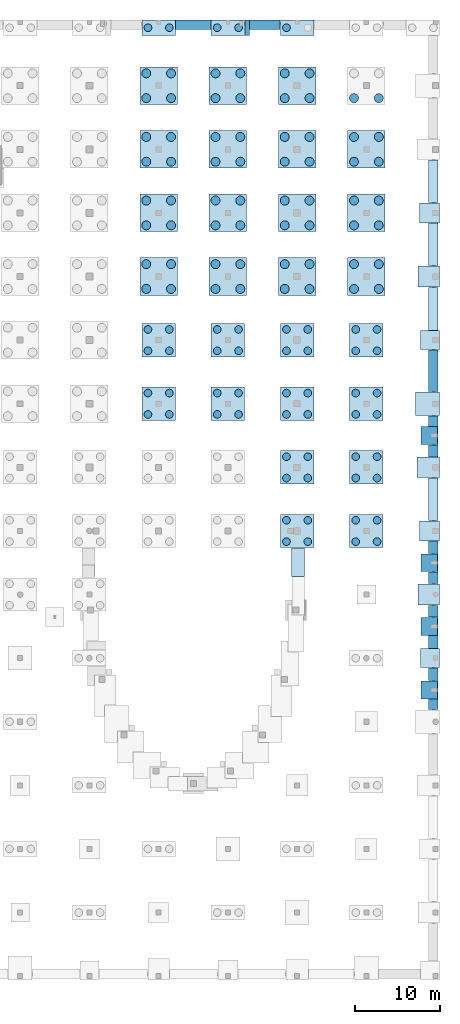
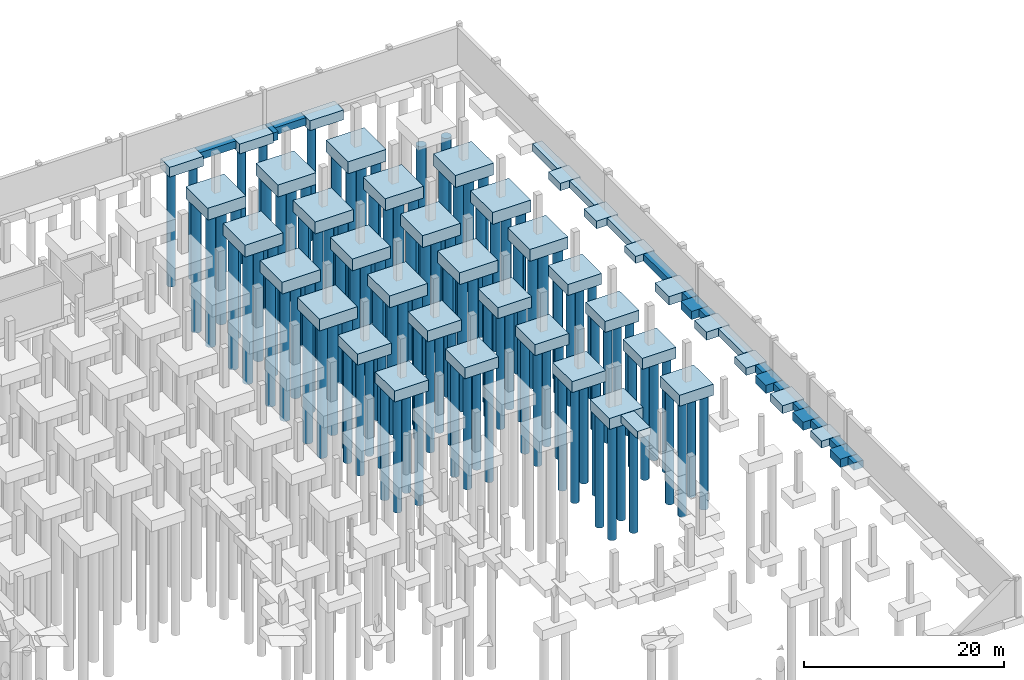
# One storey, part 9 of 37: 115 piles, 55 footings.
"""IFC4 building model written with IfcOpenShell, lengths in metres."""

from ifc_helpers import new_model, si_unit, direction, frame, origin, origin_2d, place, context, subcontext, project, spatial, polyline, rectangle, circle, outline, extrude, material, material_profile, profile_set, type_object, element, save


model = new_model("IFC4")

# Units and contexts
model_context = context("Model", 3, precision=1e-05, world=origin(), true_north=direction((0.0, 1.0)))
body_context = subcontext(model_context, "Body", "Model", "MODEL_VIEW")
ifc_project = project(units=[si_unit("LENGTHUNIT", "METRE"), si_unit("AREAUNIT", "SQUARE_METRE"), si_unit("VOLUMEUNIT", "CUBIC_METRE"), si_unit("PLANEANGLEUNIT", "RADIAN"), si_unit("MASSUNIT", "GRAM", prefix="KILO")], contexts=[model_context])

# Site, building, storey
site_placement = place(None, origin())
site = spatial("IfcSite", under=ifc_project, at=site_placement, CompositionType="ELEMENT")
building_placement = place(site_placement, origin())
building = spatial("IfcBuilding", under=site, at=building_placement, Name="Kaelora Sail Theatre", CompositionType="ELEMENT")
storey_placement = place(building_placement, frame((0.0, 0.0, -4.800048828125)))
storey = spatial("IfcBuildingStorey", under=building, at=storey_placement, Name="B1", CompositionType="ELEMENT", Elevation=-4.800048828125)

# Footings
ifc_material_1 = material(Name="Concrete C40/50", Category="concrete")
footing_type_1 = type_object("IfcFootingType", Name="STR-FTG-PC-2P", PredefinedType="PILE_CAP", material=ifc_material_1)
for number, where, z_axis, x_axis, name in (
    (1, (131.10009765625, 112.449951171875, -1.19970703125), (0.0, 0.0, 1.0), (1.0, 0.0, 0.0), "Foundation 17/P"),
    (2, (139.199951171875, 112.449951171875, -1.19970703125), (0.0, 0.0, 1.0), (1.0, 0.0, 0.0), "Foundation 18/P"),
    (3, (147.300048828125, 112.449951171875, -1.19970703125), (0.0, 0.0, 1.0), (1.0, 0.0, 0.0), "Foundation 19/P"),
):
    element("IfcFooting", number, at=place(storey_placement, frame(where, z_axis=z_axis, x_axis=x_axis)), inside=storey, type_object=footing_type_1, Name=name, PredefinedType="PILE_CAP", context=body_context, shape_type="SweptSolid", body=[
        extrude(rectangle(XDim=3.89990234375, YDim=1.800048828125, at=origin_2d()), origin(), (0.0, 0.0, 1.0), 1.199951171875),
    ])
ifc_material_2 = material(Name="Concrete C40/50", Category="concrete")
footing_type_2 = type_object("IfcFootingType", Name="STR-FTG-PC-4A", PredefinedType="PILE_CAP", material=ifc_material_2)
for number, where, z_axis, x_axis, name in (
    (4, (131.10009765625, 68.4599609375, -1.35009765625), (0.0, 0.0, 1.0), (1.0, 0.0, 0.0), "Foundation 17/J"),
    (5, (131.10009765625, 75.89990234375, -1.35009765625), (0.0, 0.0, 1.0), (1.0, 0.0, 0.0), "Foundation 17/K"),
    (6, (139.199951171875, 68.4599609375, -1.35009765625), (0.0, 0.0, 1.0), (1.0, 0.0, 0.0), "Foundation 18/J"),
    (7, (139.199951171875, 75.89990234375, -1.35009765625), (0.0, 0.0, 1.0), (1.0, 0.0, 0.0), "Foundation 18/K"),
    (8, (147.300048828125, 53.580078125, -1.35009765625), (0.0, 0.0, 1.0), (1.0, 0.0, 0.0), "Foundation 19/H"),
    (9, (147.300048828125, 61.02001953125, -1.35009765625), (0.0, 0.0, 1.0), (1.0, 0.0, 0.0), "Foundation 19/I"),
    (10, (147.300048828125, 68.4599609375, -1.35009765625), (0.0, 0.0, 1.0), (1.0, 0.0, 0.0), "Foundation 19/J"),
    (11, (147.300048828125, 75.89990234375, -1.35009765625), (0.0, 0.0, 1.0), (1.0, 0.0, 0.0), "Foundation 19/K"),
    (12, (155.39990234375, 53.580078125, -1.35009765625), (0.0, 0.0, 1.0), (1.0, 0.0, 0.0), "Foundation 20/H"),
    (13, (155.39990234375, 61.02001953125, -1.35009765625), (0.0, 0.0, 1.0), (1.0, 0.0, 0.0), "Foundation 20/I"),
    (14, (155.39990234375, 68.4599609375, -1.35009765625), (0.0, 0.0, 1.0), (1.0, 0.0, 0.0), "Foundation 20/J"),
    (15, (155.39990234375, 75.89990234375, -1.35009765625), (0.0, 0.0, 1.0), (1.0, 0.0, 0.0), "Foundation 20/K"),
):
    element("IfcFooting", number, at=place(storey_placement, frame(where, z_axis=z_axis, x_axis=x_axis)), inside=storey, type_object=footing_type_2, Name=name, PredefinedType="PILE_CAP", context=body_context, shape_type="SweptSolid", body=[
        extrude(rectangle(XDim=3.89990234375, YDim=3.89990234375, at=origin_2d()), origin(), (0.0, 0.0, 1.0), 1.35009765625),
    ])
ifc_material_3 = material(Name="Concrete C40/50", Category="concrete")
footing_type_3 = type_object("IfcFootingType", Name="STR-FTG-PC-4B", PredefinedType="PILE_CAP", material=ifc_material_3)
for number, where, z_axis, x_axis, name in (
    (16, (131.10009765625, 83.340087890625, -1.44970703125), (0.0, 0.0, 1.0), (1.0, 0.0, 0.0), "Foundation 17/L"),
    (17, (131.10009765625, 90.780029296875, -1.44970703125), (0.0, 0.0, 1.0), (1.0, 0.0, 0.0), "Foundation 17/M"),
    (18, (131.10009765625, 98.219970703125, -1.44970703125), (0.0, 0.0, 1.0), (1.0, 0.0, 0.0), "Foundation 17/N"),
    (19, (131.10009765625, 105.659912109375, -1.44970703125), (0.0, 0.0, 1.0), (1.0, 0.0, 0.0), "Foundation 17/O"),
    (20, (139.199951171875, 83.340087890625, -1.44970703125), (0.0, 0.0, 1.0), (1.0, 0.0, 0.0), "Foundation 18/L"),
    (21, (139.199951171875, 90.780029296875, -1.44970703125), (0.0, 0.0, 1.0), (1.0, 0.0, 0.0), "Foundation 18/M"),
    (22, (139.199951171875, 98.219970703125, -1.44970703125), (0.0, 0.0, 1.0), (1.0, 0.0, 0.0), "Foundation 18/N"),
    (23, (139.199951171875, 105.659912109375, -1.44970703125), (0.0, 0.0, 1.0), (1.0, 0.0, 0.0), "Foundation 18/O"),
    (24, (147.300048828125, 83.340087890625, -1.44970703125), (0.0, 0.0, 1.0), (1.0, 0.0, 0.0), "Foundation 19/L"),
    (25, (147.300048828125, 90.780029296875, -1.44970703125), (0.0, 0.0, 1.0), (1.0, 0.0, 0.0), "Foundation 19/M"),
    (26, (147.300048828125, 98.219970703125, -1.44970703125), (0.0, 0.0, 1.0), (1.0, 0.0, 0.0), "Foundation 19/N"),
    (27, (147.300048828125, 105.659912109375, -1.44970703125), (0.0, 0.0, 1.0), (1.0, 0.0, 0.0), "Foundation 19/O"),
    (28, (155.39990234375, 83.340087890625, -1.44970703125), (0.0, 0.0, 1.0), (1.0, 0.0, 0.0), "Foundation 20/L"),
    (29, (155.39990234375, 90.780029296875, -1.44970703125), (0.0, 0.0, 1.0), (1.0, 0.0, 0.0), "Foundation 20/M"),
    (30, (155.39990234375, 98.219970703125, -1.44970703125), (0.0, 0.0, 1.0), (1.0, 0.0, 0.0), "Foundation 20/N"),
):
    element("IfcFooting", number, at=place(storey_placement, frame(where, z_axis=z_axis, x_axis=x_axis)), inside=storey, type_object=footing_type_3, Name=name, PredefinedType="PILE_CAP", context=body_context, shape_type="SweptSolid", body=[
        extrude(rectangle(XDim=4.39990234375, YDim=4.39990234375, at=origin_2d()), origin(), (0.0, 0.0, 1.0), 1.449951171875),
    ])
ifc_material_4 = material(Name="Concrete C40/50", Category="concrete")
footing_type_4 = type_object("IfcFootingType", Name="STR-FTG-PF-1A", PredefinedType="PAD_FOOTING", material=ifc_material_4)
for number, where, z_axis, x_axis, name in (
    (31, (162.85009765625, 38.699951171875, -0.85009765625), (0.0, 0.0, 1.0), (1.0, 0.0, 0.0), "Foundation 21/F"),
    (32, (162.85009765625, 75.89990234375, -0.85009765625), (0.0, 0.0, 1.0), (1.0, 0.0, 0.0), "Foundation 21/K"),
):
    element("IfcFooting", number, at=place(storey_placement, frame(where, z_axis=z_axis, x_axis=x_axis)), inside=storey, type_object=footing_type_4, Name=name, PredefinedType="PAD_FOOTING", context=body_context, shape_type="SweptSolid", body=[
        extrude(rectangle(XDim=2.199951171875, YDim=2.199951171875, at=origin_2d()), origin(), (0.0, 0.0, 1.0), 0.85009765625),
    ])
ifc_material_5 = material(Name="Concrete C40/50", Category="concrete")
footing_type_5 = type_object("IfcFootingType", Name="STR-FTG-PF-1B", PredefinedType="PAD_FOOTING", material=ifc_material_5)
for number, where, z_axis, x_axis, name in (
    (33, (162.699951171875, 46.139892578125, -0.94970703125), (0.0, 0.0, 1.0), (1.0, 0.0, 0.0), "Foundation 21/G"),
    (34, (162.699951171875, 83.340087890625, -0.94970703125), (0.0, 0.0, 1.0), (1.0, 0.0, 0.0), "Foundation 21/L"),
):
    element("IfcFooting", number, at=place(storey_placement, frame(where, z_axis=z_axis, x_axis=x_axis)), inside=storey, type_object=footing_type_5, Name=name, PredefinedType="PAD_FOOTING", context=body_context, shape_type="SweptSolid", body=[
        extrude(rectangle(XDim=2.5, YDim=2.5, at=origin_2d()), origin(), (0.0, 0.0, 1.0), 0.949951171875),
    ])
ifc_material_6 = material(Name="Concrete C40/50", Category="concrete")
footing_type_6 = type_object("IfcFootingType", Name="STR-FTG-PF-1C", PredefinedType="PAD_FOOTING", material=ifc_material_6)
footing_1_placement = place(storey_placement, frame((0.0, 0.0, -1.0)))
element("IfcFooting", 35, at=footing_1_placement, inside=storey, type_object=footing_type_6, Name="North Postmodern pilaster footing P10", PredefinedType="PAD_FOOTING", context=body_context, shape_type="SweptSolid", body=[
    extrude(outline(polyline([(141.179931640625, 113.340087890625), (141.699951171875, 113.340087890625), (141.699951171875, 111.550048828125), (141.179931640625, 111.550048828125), (141.179931640625, 113.340087890625)])), origin(), (0.0, 0.0, 1.0), 1.0),
])
for number, where, z_axis, x_axis, name in (
    (36, (162.75, 34.97998046875, -1.0), (0.0, 0.0, 1.0), (1.0, 0.0, 0.0), "E colonnade pilaster footing 04"),
    (37, (162.75, 42.419921875, -1.0), (0.0, 0.0, 1.0), (1.0, 0.0, 0.0), "E colonnade pilaster footing 05"),
    (38, (162.75, 49.860107421875, -1.0), (0.0, 0.0, 1.0), (1.0, 0.0, 0.0), "E colonnade pilaster footing 06"),
    (39, (162.75, 64.739990234375, -1.0), (0.0, 0.0, 1.0), (1.0, 0.0, 0.0), "E colonnade pilaster footing 08"),
):
    element("IfcFooting", number, at=place(storey_placement, frame(where, z_axis=z_axis, x_axis=x_axis)), inside=storey, type_object=footing_type_6, Name=name, PredefinedType="PAD_FOOTING", context=body_context, shape_type="SweptSolid", body=[
        extrude(rectangle(XDim=1.89990234375, YDim=2.10009765625, at=origin_2d()), origin(), (0.0, 0.0, 1.0), 1.0),
    ])
ifc_material_7 = material(Name="Concrete C40/50", Category="concrete")
footing_type_7 = type_object("IfcFootingType", Name="STR-FTG-PF-1D", PredefinedType="PAD_FOOTING", material=ifc_material_7)
for number, where, z_axis, x_axis, name in (
    (40, (162.77490234375, 53.580078125, -0.89990234375), (0.0, 0.0, 1.0), (1.0, 0.0, 0.0), "Foundation 21/H"),
    (41, (162.77490234375, 90.780029296875, -0.89990234375), (0.0, 0.0, 1.0), (1.0, 0.0, 0.0), "Foundation 21/M"),
):
    element("IfcFooting", number, at=place(storey_placement, frame(where, z_axis=z_axis, x_axis=x_axis)), inside=storey, type_object=footing_type_7, Name=name, PredefinedType="PAD_FOOTING", context=body_context, shape_type="SweptSolid", body=[
        extrude(rectangle(XDim=2.35009765625, YDim=2.35009765625, at=origin_2d()), origin(), (0.0, 0.0, 1.0), 0.89990234375),
    ])
ifc_material_8 = material(Name="Concrete C40/50", Category="concrete")
footing_type_8 = type_object("IfcFootingType", Name="STR-FTG-PF-1E", PredefinedType="PAD_FOOTING", material=ifc_material_8)
footing_2_placement = place(storey_placement, frame((162.625, 61.02001953125, -1.0), z_axis=(0.0, 0.0, 1.0), x_axis=(1.0, 0.0, 0.0)))
element("IfcFooting", 42, at=footing_2_placement, inside=storey, type_object=footing_type_8, Name="Foundation 21/I", PredefinedType="PAD_FOOTING", context=body_context, shape_type="SweptSolid", body=[
    extrude(rectangle(XDim=2.64990234375, YDim=2.39990234375, at=origin_2d()), origin(), (0.0, 0.0, 1.0), 1.0),
])
ifc_material_9 = material(Name="Concrete C40/50", Category="concrete")
footing_type_9 = type_object("IfcFootingType", Name="STR-FTG-PF-1F", PredefinedType="PAD_FOOTING", material=ifc_material_9)
footing_3_placement = place(storey_placement, frame((162.550048828125, 68.4599609375, -1.0498046875), z_axis=(0.0, 0.0, 1.0), x_axis=(1.0, 0.0, 0.0)))
element("IfcFooting", 43, at=footing_3_placement, inside=storey, type_object=footing_type_9, Name="Foundation 21/J", PredefinedType="PAD_FOOTING", context=body_context, shape_type="SweptSolid", body=[
    extrude(rectangle(XDim=2.800048828125, YDim=2.800048828125, at=origin_2d()), origin(), (0.0, 0.0, 1.0), 1.050048828125),
])
ifc_material_10 = material(Name="Concrete C40/50", Category="concrete")
footing_type_10 = type_object("IfcFootingType", Name="STR-GB-SF-DRM", PredefinedType="STRIP_FOOTING", material=ifc_material_10)
footing_4_placement = place(storey_placement, frame((0.0, 0.0, -0.89990234375)))
element("IfcFooting", 44, at=footing_4_placement, inside=storey, type_object=footing_type_10, Name="Perimeter plinth strip footing SF-PL-E", PredefinedType="STRIP_FOOTING", context=body_context, shape_type="SweptSolid", body=[
    extrude(outline(polyline([(163.75, 44.860107421875), (163.75, 39.830078125), (162.64990234375, 39.830078125), (162.64990234375, 41.340087890625), (163.72998046875, 41.340087890625), (163.72998046875, 43.5), (162.64990234375, 43.5), (162.64990234375, 44.860107421875), (163.75, 44.860107421875)])), origin(), (0.0, 0.0, 1.0), 0.89990234375),
])
footing_5_placement = place(storey_placement, frame((0.0, 0.0, -0.89990234375)))
element("IfcFooting", 45, at=footing_5_placement, inside=storey, type_object=footing_type_10, Name="Perimeter plinth strip footing SF-PL-E", PredefinedType="STRIP_FOOTING", context=body_context, shape_type="SweptSolid", body=[
    extrude(outline(polyline([(163.72998046875, 65.820068359375), (162.64990234375, 65.820068359375), (162.64990234375, 67.030029296875), (163.75, 67.030029296875), (163.75, 62.25), (162.64990234375, 62.25), (162.64990234375, 63.659912109375), (163.72998046875, 63.659912109375), (163.72998046875, 65.820068359375)])), origin(), (0.0, 0.0, 1.0), 0.89990234375),
])
footing_6_placement = place(storey_placement, frame((0.0, 0.0, -0.89990234375)))
element("IfcFooting", 46, at=footing_6_placement, inside=storey, type_object=footing_type_10, Name="Perimeter plinth strip footing SF-PL-E", PredefinedType="STRIP_FOOTING", context=body_context, shape_type="SweptSolid", body=[
    extrude(outline(polyline([(162.64990234375, 84.6201171875), (162.64990234375, 89.574951171875), (163.75, 89.574951171875), (163.75, 84.6201171875), (162.64990234375, 84.6201171875)])), origin(), (0.0, 0.0, 1.0), 0.89990234375),
])
footing_7_placement = place(storey_placement, frame((0.0, 0.0, -0.89990234375)))
element("IfcFooting", 47, at=footing_7_placement, inside=storey, type_object=footing_type_10, Name="Perimeter plinth strip footing SF-PL-E", PredefinedType="STRIP_FOOTING", context=body_context, shape_type="SweptSolid", body=[
    extrude(outline(polyline([(163.75, 96.989990234375), (163.75, 91.985107421875), (162.64990234375, 91.985107421875), (162.64990234375, 96.989990234375), (163.75, 96.989990234375)])), origin(), (0.0, 0.0, 1.0), 0.89990234375),
])
footing_8_placement = place(storey_placement, frame((0.0, 0.0, -0.89990234375)))
element("IfcFooting", 48, at=footing_8_placement, inside=storey, type_object=footing_type_10, Name="Perimeter plinth strip footing SF-PL-E", PredefinedType="STRIP_FOOTING", context=body_context, shape_type="SweptSolid", body=[
    extrude(outline(polyline([(162.64990234375, 77.030029296875), (162.64990234375, 82.06005859375), (163.75, 82.06005859375), (163.75, 77.030029296875), (162.64990234375, 77.030029296875)])), origin(), (0.0, 0.0, 1.0), 0.89990234375),
])
footing_9_placement = place(storey_placement, frame((0.0, 0.0, -0.89990234375)))
element("IfcFooting", 49, at=footing_9_placement, inside=storey, type_object=footing_type_10, Name="Perimeter plinth strip footing SF-PL-E", PredefinedType="STRIP_FOOTING", context=body_context, shape_type="SweptSolid", body=[
    extrude(outline(polyline([(162.64990234375, 74.77001953125), (163.75, 74.77001953125), (163.75, 69.889892578125), (162.64990234375, 69.889892578125), (162.64990234375, 74.77001953125)])), origin(), (0.0, 0.0, 1.0), 0.89990234375),
])
footing_10_placement = place(storey_placement, frame((0.0, 0.0, -0.89990234375)))
element("IfcFooting", 50, at=footing_10_placement, inside=storey, type_object=footing_type_10, Name="Perimeter plinth strip footing SF-PL-E", PredefinedType="STRIP_FOOTING", context=body_context, shape_type="SweptSolid", body=[
    extrude(outline(polyline([(163.75, 54.784912109375), (162.64990234375, 54.784912109375), (162.64990234375, 59.7900390625), (163.75, 59.7900390625), (163.75, 54.784912109375)])), origin(), (0.0, 0.0, 1.0), 0.89990234375),
])
footing_11_placement = place(storey_placement, frame((0.0, 0.0, -0.89990234375)))
element("IfcFooting", 51, at=footing_11_placement, inside=storey, type_object=footing_type_10, Name="Perimeter plinth strip footing SF-PL-E", PredefinedType="STRIP_FOOTING", context=body_context, shape_type="SweptSolid", body=[
    extrude(outline(polyline([(162.64990234375, 50.93994140625), (162.64990234375, 52.375), (163.75, 52.375), (163.75, 47.419921875), (162.64990234375, 47.419921875), (162.64990234375, 48.780029296875), (163.72998046875, 48.780029296875), (163.72998046875, 50.93994140625), (162.64990234375, 50.93994140625)])), origin(), (0.0, 0.0, 1.0), 0.89990234375),
])
footing_12_placement = place(storey_placement, frame((0.0, 0.0, -0.89990234375)))
element("IfcFooting", 52, at=footing_12_placement, inside=storey, type_object=footing_type_10, Name="Perimeter plinth strip footing SF-PL-E", PredefinedType="STRIP_FOOTING", context=body_context, shape_type="SweptSolid", body=[
    extrude(outline(polyline([(163.75, 37.570068359375), (163.75, 32.68994140625), (162.64990234375, 32.68994140625), (162.64990234375, 33.89990234375), (163.72998046875, 33.89990234375), (163.72998046875, 36.06005859375), (162.64990234375, 36.06005859375), (162.64990234375, 37.570068359375), (163.75, 37.570068359375)])), origin(), (0.0, 0.0, 1.0), 0.89990234375),
])
footing_13_placement = place(storey_placement, frame((0.0, 0.0, -0.89990234375)))
element("IfcFooting", 53, at=footing_13_placement, inside=storey, type_object=footing_type_10, Name="Perimeter plinth strip footing SF-PL-N", PredefinedType="STRIP_FOOTING", context=body_context, shape_type="SweptSolid", body=[
    extrude(outline(polyline([(141.72998046875, 112.25), (141.72998046875, 113.340087890625), (145.320068359375, 113.340087890625), (145.320068359375, 112.25), (141.72998046875, 112.25)])), origin(), (0.0, 0.0, 1.0), 0.89990234375),
])
footing_14_placement = place(storey_placement, frame((0.0, 0.0, -0.89990234375)))
element("IfcFooting", 54, at=footing_14_placement, inside=storey, type_object=footing_type_10, Name="Perimeter plinth strip footing SF-PL-N", PredefinedType="STRIP_FOOTING", context=body_context, shape_type="SweptSolid", body=[
    extrude(outline(polyline([(133.080078125, 113.340087890625), (137.219970703125, 113.340087890625), (137.219970703125, 112.25), (133.080078125, 112.25), (133.080078125, 113.340087890625)])), origin(), (0.0, 0.0, 1.0), 0.89990234375),
])
footing_15_placement = place(storey_placement, frame((0.0, 0.0, -0.89990234375)))
element("IfcFooting", 55, at=footing_15_placement, inside=storey, type_object=footing_type_10, Name="Black-Box and Experimental Sail Wing chord strip footing 01", PredefinedType="STRIP_FOOTING", context=body_context, shape_type="SweptSolid", body=[
    extrude(outline(polyline([(146.64990234375, 48.2744140625), (146.64990234375, 51.60009765625), (148.148193359375, 51.60009765625), (148.148193359375, 48.2744140625), (146.64990234375, 48.2744140625)])), origin(), (0.0, 0.0, 1.0), 0.89990234375),
])

# Piles
ifc_material_11 = material(Name="Concrete C40/50", Category="concrete")
ifc_material_profile_1 = material_profile(ifc_material_11, circle(Radius=0.52490234375, at=origin_2d()), Name="PILE D1050")
ifc_profile_set_1 = profile_set([ifc_material_profile_1], Name="Concrete C40/50")
pile_type_1 = type_object("IfcPileType", Name="STR-PILE-PL-1050", PredefinedType="BORED", material=ifc_profile_set_1)
for number, where, z_axis, x_axis, name in (
    (56, (129.64990234375, 81.889892578125, -1.349853515625), (0.0, 0.0, -1.0), (1.0, 0.0, 0.0), "Bored pile 17/L P1"),
    (57, (132.550048828125, 81.889892578125, -1.349853515625), (0.0, 0.0, -1.0), (1.0, 0.0, 0.0), "Bored pile 17/L P2"),
    (58, (129.64990234375, 84.7900390625, -1.349853515625), (0.0, 0.0, -1.0), (1.0, 0.0, 0.0), "Bored pile 17/L P3"),
    (59, (132.550048828125, 84.7900390625, -1.349853515625), (0.0, 0.0, -1.0), (1.0, 0.0, 0.0), "Bored pile 17/L P4"),
    (60, (129.64990234375, 89.330078125, -1.349853515625), (0.0, 0.0, -1.0), (1.0, 0.0, 0.0), "Bored pile 17/M P1"),
    (61, (132.550048828125, 89.330078125, -1.349853515625), (0.0, 0.0, -1.0), (1.0, 0.0, 0.0), "Bored pile 17/M P2"),
    (62, (129.64990234375, 92.22998046875, -1.349853515625), (0.0, 0.0, -1.0), (1.0, 0.0, 0.0), "Bored pile 17/M P3"),
    (63, (132.550048828125, 92.22998046875, -1.349853515625), (0.0, 0.0, -1.0), (1.0, 0.0, 0.0), "Bored pile 17/M P4"),
    (64, (129.64990234375, 96.77001953125, -1.349853515625), (0.0, 0.0, -1.0), (1.0, 0.0, 0.0), "Bored pile 17/N P1"),
    (65, (132.550048828125, 96.77001953125, -1.349853515625), (0.0, 0.0, -1.0), (1.0, 0.0, 0.0), "Bored pile 17/N P2"),
    (66, (129.64990234375, 99.669921875, -1.349853515625), (0.0, 0.0, -1.0), (1.0, 0.0, 0.0), "Bored pile 17/N P3"),
    (67, (132.550048828125, 99.669921875, -1.349853515625), (0.0, 0.0, -1.0), (1.0, 0.0, 0.0), "Bored pile 17/N P4"),
    (68, (129.64990234375, 104.2099609375, -1.349853515625), (0.0, 0.0, -1.0), (1.0, 0.0, 0.0), "Bored pile 17/O P1"),
    (69, (132.550048828125, 104.2099609375, -1.349853515625), (0.0, 0.0, -1.0), (1.0, 0.0, 0.0), "Bored pile 17/O P2"),
    (70, (129.64990234375, 107.110107421875, -1.349853515625), (0.0, 0.0, -1.0), (1.0, 0.0, 0.0), "Bored pile 17/O P3"),
    (71, (132.550048828125, 107.110107421875, -1.349853515625), (0.0, 0.0, -1.0), (1.0, 0.0, 0.0), "Bored pile 17/O P4"),
    (72, (137.75, 81.889892578125, -1.349853515625), (0.0, 0.0, -1.0), (1.0, 0.0, 0.0), "Bored pile 18/L P1"),
    (73, (140.64990234375, 81.889892578125, -1.349853515625), (0.0, 0.0, -1.0), (1.0, 0.0, 0.0), "Bored pile 18/L P2"),
    (74, (137.75, 84.7900390625, -1.349853515625), (0.0, 0.0, -1.0), (1.0, 0.0, 0.0), "Bored pile 18/L P3"),
    (75, (140.64990234375, 84.7900390625, -1.349853515625), (0.0, 0.0, -1.0), (1.0, 0.0, 0.0), "Bored pile 18/L P4"),
    (76, (137.75, 89.330078125, -1.349853515625), (0.0, 0.0, -1.0), (1.0, 0.0, 0.0), "Bored pile 18/M P1"),
    (77, (140.64990234375, 89.330078125, -1.349853515625), (0.0, 0.0, -1.0), (1.0, 0.0, 0.0), "Bored pile 18/M P2"),
    (78, (137.75, 92.22998046875, -1.349853515625), (0.0, 0.0, -1.0), (1.0, 0.0, 0.0), "Bored pile 18/M P3"),
    (79, (140.64990234375, 92.22998046875, -1.349853515625), (0.0, 0.0, -1.0), (1.0, 0.0, 0.0), "Bored pile 18/M P4"),
    (80, (137.75, 96.77001953125, -1.349853515625), (0.0, 0.0, -1.0), (1.0, 0.0, 0.0), "Bored pile 18/N P1"),
    (81, (140.64990234375, 96.77001953125, -1.349853515625), (0.0, 0.0, -1.0), (1.0, 0.0, 0.0), "Bored pile 18/N P2"),
    (82, (137.75, 99.669921875, -1.349853515625), (0.0, 0.0, -1.0), (1.0, 0.0, 0.0), "Bored pile 18/N P3"),
    (83, (140.64990234375, 99.669921875, -1.349853515625), (0.0, 0.0, -1.0), (1.0, 0.0, 0.0), "Bored pile 18/N P4"),
    (84, (137.75, 104.2099609375, -1.349853515625), (0.0, 0.0, -1.0), (1.0, 0.0, 0.0), "Bored pile 18/O P1"),
    (85, (140.64990234375, 104.2099609375, -1.349853515625), (0.0, 0.0, -1.0), (1.0, 0.0, 0.0), "Bored pile 18/O P2"),
    (86, (137.75, 107.110107421875, -1.349853515625), (0.0, 0.0, -1.0), (1.0, 0.0, 0.0), "Bored pile 18/O P3"),
    (87, (140.64990234375, 107.110107421875, -1.349853515625), (0.0, 0.0, -1.0), (1.0, 0.0, 0.0), "Bored pile 18/O P4"),
    (88, (145.85009765625, 81.889892578125, -1.349853515625), (0.0, 0.0, -1.0), (1.0, 0.0, 0.0), "Bored pile 19/L P1"),
    (89, (148.75, 81.889892578125, -1.349853515625), (0.0, 0.0, -1.0), (1.0, 0.0, 0.0), "Bored pile 19/L P2"),
    (90, (145.85009765625, 84.7900390625, -1.349853515625), (0.0, 0.0, -1.0), (1.0, 0.0, 0.0), "Bored pile 19/L P3"),
    (91, (148.75, 84.7900390625, -1.349853515625), (0.0, 0.0, -1.0), (1.0, 0.0, 0.0), "Bored pile 19/L P4"),
    (92, (145.85009765625, 89.330078125, -1.349853515625), (0.0, 0.0, -1.0), (1.0, 0.0, 0.0), "Bored pile 19/M P1"),
    (93, (148.75, 89.330078125, -1.349853515625), (0.0, 0.0, -1.0), (1.0, 0.0, 0.0), "Bored pile 19/M P2"),
    (94, (145.85009765625, 92.22998046875, -1.349853515625), (0.0, 0.0, -1.0), (1.0, 0.0, 0.0), "Bored pile 19/M P3"),
    (95, (148.75, 92.22998046875, -1.349853515625), (0.0, 0.0, -1.0), (1.0, 0.0, 0.0), "Bored pile 19/M P4"),
    (96, (145.85009765625, 96.77001953125, -1.349853515625), (0.0, 0.0, -1.0), (1.0, 0.0, 0.0), "Bored pile 19/N P1"),
    (97, (148.75, 96.77001953125, -1.349853515625), (0.0, 0.0, -1.0), (1.0, 0.0, 0.0), "Bored pile 19/N P2"),
    (98, (145.85009765625, 99.669921875, -1.349853515625), (0.0, 0.0, -1.0), (1.0, 0.0, 0.0), "Bored pile 19/N P3"),
    (99, (148.75, 99.669921875, -1.349853515625), (0.0, 0.0, -1.0), (1.0, 0.0, 0.0), "Bored pile 19/N P4"),
    (100, (145.85009765625, 104.2099609375, -1.349853515625), (0.0, 0.0, -1.0), (1.0, 0.0, 0.0), "Bored pile 19/O P1"),
    (101, (148.75, 104.2099609375, -1.349853515625), (0.0, 0.0, -1.0), (1.0, 0.0, 0.0), "Bored pile 19/O P2"),
    (102, (145.85009765625, 107.110107421875, -1.349853515625), (0.0, 0.0, -1.0), (1.0, 0.0, 0.0), "Bored pile 19/O P3"),
    (103, (148.75, 107.110107421875, -1.349853515625), (0.0, 0.0, -1.0), (1.0, 0.0, 0.0), "Bored pile 19/O P4"),
    (104, (153.949951171875, 81.889892578125, -1.349853515625), (0.0, 0.0, -1.0), (1.0, 0.0, 0.0), "Bored pile 20/L P1"),
    (105, (156.85009765625, 81.889892578125, -1.349853515625), (0.0, 0.0, -1.0), (1.0, 0.0, 0.0), "Bored pile 20/L P2"),
    (106, (153.949951171875, 84.7900390625, -1.349853515625), (0.0, 0.0, -1.0), (1.0, 0.0, 0.0), "Bored pile 20/L P3"),
    (107, (156.85009765625, 84.7900390625, -1.349853515625), (0.0, 0.0, -1.0), (1.0, 0.0, 0.0), "Bored pile 20/L P4"),
    (108, (153.949951171875, 89.330078125, -1.349853515625), (0.0, 0.0, -1.0), (1.0, 0.0, 0.0), "Bored pile 20/M P1"),
    (109, (156.85009765625, 89.330078125, -1.349853515625), (0.0, 0.0, -1.0), (1.0, 0.0, 0.0), "Bored pile 20/M P2"),
    (110, (153.949951171875, 92.22998046875, -1.349853515625), (0.0, 0.0, -1.0), (1.0, 0.0, 0.0), "Bored pile 20/M P3"),
    (111, (156.85009765625, 92.22998046875, -1.349853515625), (0.0, 0.0, -1.0), (1.0, 0.0, 0.0), "Bored pile 20/M P4"),
    (112, (153.949951171875, 96.77001953125, -1.349853515625), (0.0, 0.0, -1.0), (1.0, 0.0, 0.0), "Bored pile 20/N P1"),
    (113, (156.85009765625, 96.77001953125, -1.349853515625), (0.0, 0.0, -1.0), (1.0, 0.0, 0.0), "Bored pile 20/N P2"),
    (114, (153.949951171875, 99.669921875, -1.349853515625), (0.0, 0.0, -1.0), (1.0, 0.0, 0.0), "Bored pile 20/N P3"),
    (115, (156.85009765625, 99.669921875, -1.349853515625), (0.0, 0.0, -1.0), (1.0, 0.0, 0.0), "Bored pile 20/N P4"),
    (116, (153.949951171875, 104.2099609375, -1.349853515625), (0.0, 0.0, -1.0), (1.0, 0.0, 0.0), "Bored pile 20/O P1"),
    (117, (156.85009765625, 104.2099609375, -1.349853515625), (0.0, 0.0, -1.0), (1.0, 0.0, 0.0), "Bored pile 20/O P2"),
):
    element("IfcPile", number, at=place(storey_placement, frame(where, z_axis=z_axis, x_axis=x_axis)), inside=storey, type_object=pile_type_1, Name=name, PredefinedType="BORED", context=body_context, shape_type="SweptSolid", body=[
        extrude(circle(Radius=0.52490234375, at=origin_2d()), origin(), (0.0, 0.0, 1.0), 16.0),
    ])
ifc_material_12 = material(Name="Concrete C40/50", Category="concrete")
ifc_material_profile_2 = material_profile(ifc_material_12, circle(Radius=0.449951171875, at=origin_2d()), Name="PILE D900")
ifc_profile_set_2 = profile_set([ifc_material_profile_2], Name="Concrete C40/50")
pile_type_2 = type_object("IfcPileType", Name="STR-PILE-PL-900", PredefinedType="BORED", material=ifc_profile_set_2)
for number, where, z_axis, x_axis, name in (
    (118, (129.85009765625, 67.2099609375, -1.25), (0.0, 0.0, -1.0), (1.0, 0.0, 0.0), "Bored pile 17/J P1"),
    (119, (132.35009765625, 67.2099609375, -1.25), (0.0, 0.0, -1.0), (1.0, 0.0, 0.0), "Bored pile 17/J P2"),
    (120, (129.85009765625, 69.7099609375, -1.25), (0.0, 0.0, -1.0), (1.0, 0.0, 0.0), "Bored pile 17/J P3"),
    (121, (132.35009765625, 69.7099609375, -1.25), (0.0, 0.0, -1.0), (1.0, 0.0, 0.0), "Bored pile 17/J P4"),
    (122, (129.85009765625, 74.64990234375, -1.25), (0.0, 0.0, -1.0), (1.0, 0.0, 0.0), "Bored pile 17/K P1"),
    (123, (132.35009765625, 74.64990234375, -1.25), (0.0, 0.0, -1.0), (1.0, 0.0, 0.0), "Bored pile 17/K P2"),
    (124, (129.85009765625, 77.14990234375, -1.25), (0.0, 0.0, -1.0), (1.0, 0.0, 0.0), "Bored pile 17/K P3"),
    (125, (132.35009765625, 77.14990234375, -1.25), (0.0, 0.0, -1.0), (1.0, 0.0, 0.0), "Bored pile 17/K P4"),
    (126, (129.85009765625, 112.449951171875, -1.099853515625), (0.0, 0.0, -1.0), (1.0, 0.0, 0.0), "Bored pile 17/P P1"),
    (127, (132.35009765625, 112.449951171875, -1.099853515625), (0.0, 0.0, -1.0), (1.0, 0.0, 0.0), "Bored pile 17/P P2"),
    (128, (137.949951171875, 67.2099609375, -1.25), (0.0, 0.0, -1.0), (1.0, 0.0, 0.0), "Bored pile 18/J P1"),
    (129, (140.449951171875, 67.2099609375, -1.25), (0.0, 0.0, -1.0), (1.0, 0.0, 0.0), "Bored pile 18/J P2"),
    (130, (137.949951171875, 69.7099609375, -1.25), (0.0, 0.0, -1.0), (1.0, 0.0, 0.0), "Bored pile 18/J P3"),
    (131, (140.449951171875, 69.7099609375, -1.25), (0.0, 0.0, -1.0), (1.0, 0.0, 0.0), "Bored pile 18/J P4"),
    (132, (137.949951171875, 74.64990234375, -1.25), (0.0, 0.0, -1.0), (1.0, 0.0, 0.0), "Bored pile 18/K P1"),
    (133, (140.449951171875, 74.64990234375, -1.25), (0.0, 0.0, -1.0), (1.0, 0.0, 0.0), "Bored pile 18/K P2"),
    (134, (137.949951171875, 77.14990234375, -1.25), (0.0, 0.0, -1.0), (1.0, 0.0, 0.0), "Bored pile 18/K P3"),
    (135, (140.449951171875, 77.14990234375, -1.25), (0.0, 0.0, -1.0), (1.0, 0.0, 0.0), "Bored pile 18/K P4"),
    (136, (137.949951171875, 112.449951171875, -1.099853515625), (0.0, 0.0, -1.0), (1.0, 0.0, 0.0), "Bored pile 18/P P1"),
    (137, (140.449951171875, 112.449951171875, -1.099853515625), (0.0, 0.0, -1.0), (1.0, 0.0, 0.0), "Bored pile 18/P P2"),
    (138, (146.050048828125, 52.330078125, -1.25), (0.0, 0.0, -1.0), (1.0, 0.0, 0.0), "Bored pile 19/H P1"),
    (139, (148.550048828125, 52.330078125, -1.25), (0.0, 0.0, -1.0), (1.0, 0.0, 0.0), "Bored pile 19/H P2"),
    (140, (146.050048828125, 54.830078125, -1.25), (0.0, 0.0, -1.0), (1.0, 0.0, 0.0), "Bored pile 19/H P3"),
    (141, (148.550048828125, 54.830078125, -1.25), (0.0, 0.0, -1.0), (1.0, 0.0, 0.0), "Bored pile 19/H P4"),
    (142, (146.050048828125, 59.77001953125, -1.25), (0.0, 0.0, -1.0), (1.0, 0.0, 0.0), "Bored pile 19/I P1"),
    (143, (148.550048828125, 59.77001953125, -1.25), (0.0, 0.0, -1.0), (1.0, 0.0, 0.0), "Bored pile 19/I P2"),
    (144, (146.050048828125, 62.27001953125, -1.25), (0.0, 0.0, -1.0), (1.0, 0.0, 0.0), "Bored pile 19/I P3"),
    (145, (148.550048828125, 62.27001953125, -1.25), (0.0, 0.0, -1.0), (1.0, 0.0, 0.0), "Bored pile 19/I P4"),
    (146, (146.050048828125, 67.2099609375, -1.25), (0.0, 0.0, -1.0), (1.0, 0.0, 0.0), "Bored pile 19/J P1"),
    (147, (148.550048828125, 67.2099609375, -1.25), (0.0, 0.0, -1.0), (1.0, 0.0, 0.0), "Bored pile 19/J P2"),
    (148, (146.050048828125, 69.7099609375, -1.25), (0.0, 0.0, -1.0), (1.0, 0.0, 0.0), "Bored pile 19/J P3"),
    (149, (148.550048828125, 69.7099609375, -1.25), (0.0, 0.0, -1.0), (1.0, 0.0, 0.0), "Bored pile 19/J P4"),
    (150, (146.050048828125, 74.64990234375, -1.25), (0.0, 0.0, -1.0), (1.0, 0.0, 0.0), "Bored pile 19/K P1"),
    (151, (148.550048828125, 74.64990234375, -1.25), (0.0, 0.0, -1.0), (1.0, 0.0, 0.0), "Bored pile 19/K P2"),
    (152, (146.050048828125, 77.14990234375, -1.25), (0.0, 0.0, -1.0), (1.0, 0.0, 0.0), "Bored pile 19/K P3"),
    (153, (148.550048828125, 77.14990234375, -1.25), (0.0, 0.0, -1.0), (1.0, 0.0, 0.0), "Bored pile 19/K P4"),
    (154, (146.050048828125, 112.449951171875, -1.099853515625), (0.0, 0.0, -1.0), (1.0, 0.0, 0.0), "Bored pile 19/P P1"),
    (155, (154.14990234375, 52.330078125, -1.25), (0.0, 0.0, -1.0), (1.0, 0.0, 0.0), "Bored pile 20/H P1"),
    (156, (156.64990234375, 52.330078125, -1.25), (0.0, 0.0, -1.0), (1.0, 0.0, 0.0), "Bored pile 20/H P2"),
    (157, (154.14990234375, 54.830078125, -1.25), (0.0, 0.0, -1.0), (1.0, 0.0, 0.0), "Bored pile 20/H P3"),
    (158, (156.64990234375, 54.830078125, -1.25), (0.0, 0.0, -1.0), (1.0, 0.0, 0.0), "Bored pile 20/H P4"),
    (159, (154.14990234375, 59.77001953125, -1.25), (0.0, 0.0, -1.0), (1.0, 0.0, 0.0), "Bored pile 20/I P1"),
    (160, (156.64990234375, 59.77001953125, -1.25), (0.0, 0.0, -1.0), (1.0, 0.0, 0.0), "Bored pile 20/I P2"),
    (161, (154.14990234375, 62.27001953125, -1.25), (0.0, 0.0, -1.0), (1.0, 0.0, 0.0), "Bored pile 20/I P3"),
    (162, (156.64990234375, 62.27001953125, -1.25), (0.0, 0.0, -1.0), (1.0, 0.0, 0.0), "Bored pile 20/I P4"),
    (163, (154.14990234375, 67.2099609375, -1.25), (0.0, 0.0, -1.0), (1.0, 0.0, 0.0), "Bored pile 20/J P1"),
    (164, (156.64990234375, 67.2099609375, -1.25), (0.0, 0.0, -1.0), (1.0, 0.0, 0.0), "Bored pile 20/J P2"),
    (165, (154.14990234375, 69.7099609375, -1.25), (0.0, 0.0, -1.0), (1.0, 0.0, 0.0), "Bored pile 20/J P3"),
    (166, (156.64990234375, 69.7099609375, -1.25), (0.0, 0.0, -1.0), (1.0, 0.0, 0.0), "Bored pile 20/J P4"),
    (167, (154.14990234375, 74.64990234375, -1.25), (0.0, 0.0, -1.0), (1.0, 0.0, 0.0), "Bored pile 20/K P1"),
    (168, (156.64990234375, 74.64990234375, -1.25), (0.0, 0.0, -1.0), (1.0, 0.0, 0.0), "Bored pile 20/K P2"),
    (169, (154.14990234375, 77.14990234375, -1.25), (0.0, 0.0, -1.0), (1.0, 0.0, 0.0), "Bored pile 20/K P3"),
    (170, (156.64990234375, 77.14990234375, -1.25), (0.0, 0.0, -1.0), (1.0, 0.0, 0.0), "Bored pile 20/K P4"),
):
    element("IfcPile", number, at=place(storey_placement, frame(where, z_axis=z_axis, x_axis=x_axis)), inside=storey, type_object=pile_type_2, Name=name, PredefinedType="BORED", context=body_context, shape_type="SweptSolid", body=[
        extrude(circle(Radius=0.449951171875, at=origin_2d()), origin(), (0.0, 0.0, 1.0), 14.0),
    ])

save(model, "model.ifc")
